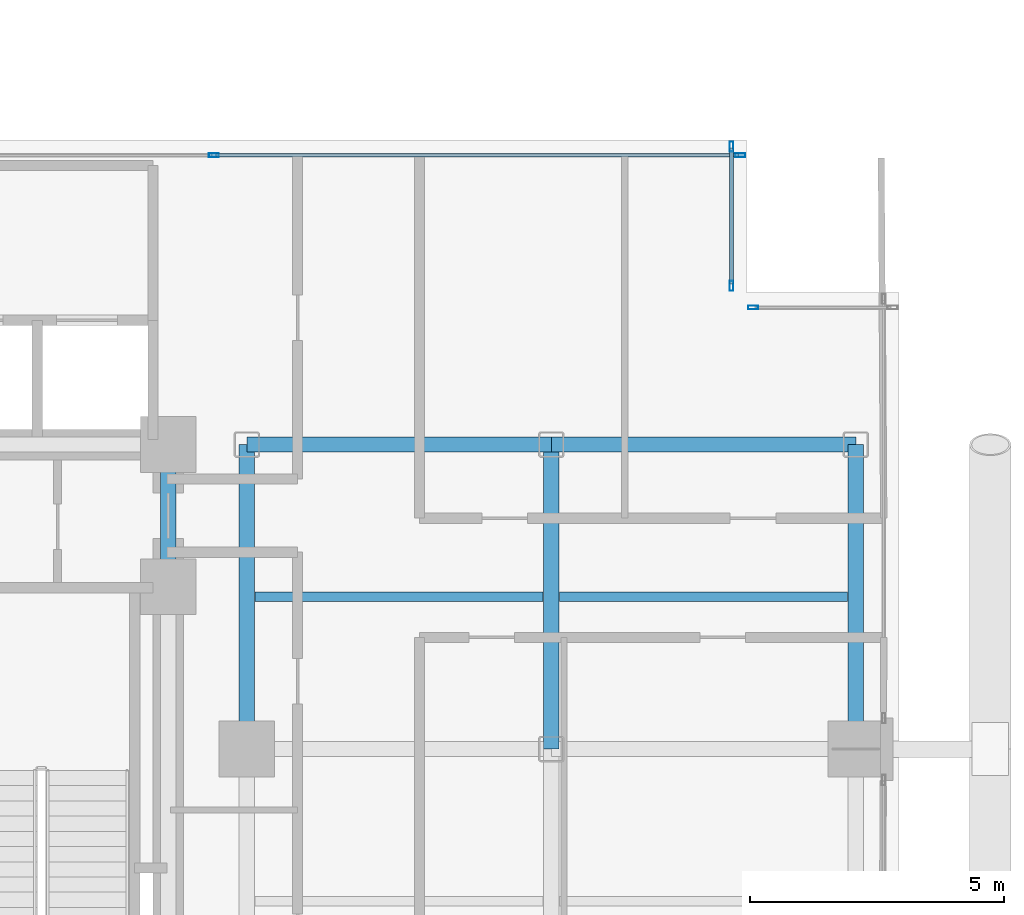
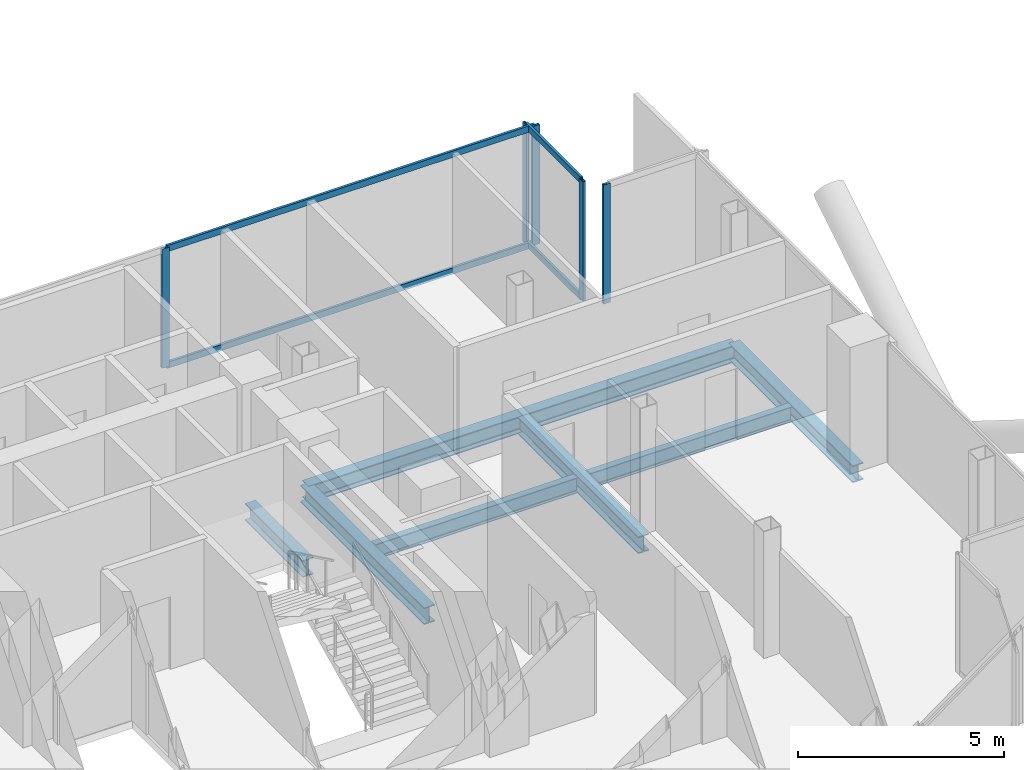
# One storey, part 13 of 28: 9 members, 8 beams, 3 elements without a shape of their own.
"""IFC4 building model written with IfcOpenShell, lengths in metres."""

from ifc_helpers import new_model, si_unit, direction, frame, origin, origin_2d, place, context, subcontext, project, spatial, hollow_rectangle, i_section, extrude, material, layer, layer_set, material_profile, profile_set, type_object, element, aggregate, save


model = new_model("IFC4")

# Units and contexts
model_context = context("Model", 3, precision=1e-05, world=origin(), true_north=direction((0.0, 1.0)))
body_context = subcontext(model_context, "Body", "Model", "MODEL_VIEW")
ifc_project = project(units=[si_unit("LENGTHUNIT", "METRE"), si_unit("AREAUNIT", "SQUARE_METRE"), si_unit("VOLUMEUNIT", "CUBIC_METRE"), si_unit("PLANEANGLEUNIT", "RADIAN"), si_unit("MASSUNIT", "GRAM", prefix="KILO"), si_unit("THERMODYNAMICTEMPERATUREUNIT", "KELVIN"), si_unit("POWERUNIT", "WATT")], contexts=[model_context])

# Site, building, storey
site_placement = place(None, origin())
site = spatial("IfcSite", under=ifc_project, at=site_placement, CompositionType="ELEMENT")
building_placement = place(site_placement, origin())
building = spatial("IfcBuilding", under=site, at=building_placement, Name="Svarakhadi Broadcast Tower", CompositionType="ELEMENT")
storey_placement = place(building_placement, frame((0.0, 0.0, 153.14990234375)))
storey = spatial("IfcBuildingStorey", under=building, at=storey_placement, Name="L37", CompositionType="ELEMENT", Elevation=153.14990234375)

# Beams
ifc_material_1 = material(Name="Steel S355J2 (IS 2062 E350C)", Category="steel")
ifc_material_profile_1 = material_profile(ifc_material_1, i_section(OverallWidth=0.18994140625, OverallDepth=0.449951171875, WebThickness=0.009521484375, FlangeThickness=0.0146484375, FilletRadius=0.02099609375, at=origin_2d()), Name="NPB 450x190x78")
ifc_profile_set_1 = profile_set([ifc_material_profile_1], Name="Steel S355J2 (IS 2062 E350C)")
beam_type_1 = type_object("IfcBeamType", Name="Beam_NPB450", PredefinedType="BEAM", material=ifc_profile_set_1)
for number, where, z_axis, x_axis, name in (
    (1, (35.31005859375, 15.0, -0.449951171875), (1.0, 0.0, 0.0), (0.0, 1.0, 0.0), "L37 Secondary Composite Beam SB021"),
    (2, (41.31005859375, 15.0, -0.449951171875), (1.0, 0.0, 0.0), (0.0, 1.0, 0.0), "L37 Secondary Composite Beam SB023"),
):
    element("IfcBeam", number, at=place(storey_placement, frame(where, z_axis=z_axis, x_axis=x_axis)), inside=storey, type_object=beam_type_1, Name=name, PredefinedType="BEAM", context=body_context, shape_type="SweptSolid", body=[
        extrude(i_section(OverallWidth=0.18994140625, OverallDepth=0.449951171875, WebThickness=0.009521484375, FlangeThickness=0.0146484375, FilletRadius=0.02099609375, at=origin_2d()), origin(), (0.0, 0.0, 1.0), 5.679931640625),
    ])

# Curtain wall, members
ifc_material_2 = material(Name="Anodised Bronze Aluminium AA 6063-T6", Category="aluminium")
ifc_layer = layer(ifc_material_2, 0.199951171875)
ifc_layer_set = layer_set([ifc_layer], Name="Anodised Bronze Aluminium AA 6063-T6")
curtain_wall_type = type_object("IfcCurtainWallType", Name="CW_Sys_03", PredefinedType="NOTDEFINED", material=ifc_layer_set)
curtain_wall_1_placement = place(storey_placement, origin())
curtain_wall_1 = element("IfcCurtainWall", 3, at=curtain_wall_1_placement, inside=storey, type_object=curtain_wall_type, Name="L37 Unitised Facade Curtain Wall 10", PredefinedType="NOTDEFINED")
ifc_material_profile_2 = material_profile(ifc_material_2, hollow_rectangle(XDim=0.074951171875, YDim=0.199951171875, WallThickness=0.005615234375, at=origin_2d()), Name="ALU MULLION 200x75x6")
ifc_profile_set_2 = profile_set([ifc_material_profile_2], Name="Anodised Bronze Aluminium AA 6063-T6")
member_type_1 = type_object("IfcMemberType", Name="CW_Sys_03_Mul", PredefinedType="MULLION", material=ifc_profile_set_2)
member_1_placement = place(storey_placement, frame((34.5, 23.699951171875, 0.0), z_axis=(0.0, 0.0, 1.0), x_axis=(0.0, 1.0, 0.0)))
member_1 = element("IfcMember", 4, at=member_1_placement, type_object=member_type_1, Name="CW-03 mullion 2", PredefinedType="MULLION", context=body_context, shape_type="SweptSolid", body=[
    extrude(hollow_rectangle(XDim=0.074951171875, YDim=0.199951171875, WallThickness=0.005615234375, at=origin_2d()), origin(), (0.0, 0.0, 1.0), 3.525146484375),
])
member_2_placement = place(storey_placement, frame((44.87255859375, 23.699951171875, 0.0), z_axis=(0.0, 0.0, 1.0), x_axis=(0.0, 1.0, 0.0)))
member_2 = element("IfcMember", 5, at=member_2_placement, type_object=member_type_1, Name="CW-03 mullion 3", PredefinedType="MULLION", context=body_context, shape_type="SweptSolid", body=[
    extrude(hollow_rectangle(XDim=0.074951171875, YDim=0.199951171875, WallThickness=0.005615234375, at=origin_2d()), origin(), (0.0, 0.0, 1.0), 3.525146484375),
])

curtain_wall_2_placement = place(storey_placement, origin())
curtain_wall_2 = element("IfcCurtainWall", 6, at=curtain_wall_2_placement, inside=storey, type_object=curtain_wall_type, Name="L37 Unitised Facade Curtain Wall 11", PredefinedType="NOTDEFINED")
member_3_placement = place(storey_placement, frame((44.699951171875, 23.87255859375, 0.0), z_axis=(0.0, 0.0, 1.0), x_axis=(1.0, 0.0, 0.0)))
member_3 = element("IfcMember", 7, at=member_3_placement, type_object=member_type_1, Name="CW-03 mullion 1", PredefinedType="MULLION", context=body_context, shape_type="SweptSolid", body=[
    extrude(hollow_rectangle(XDim=0.074951171875, YDim=0.199951171875, WallThickness=0.005615234375, at=origin_2d()), origin(), (0.0, 0.0, 1.0), 3.525146484375),
])
member_4_placement = place(storey_placement, frame((44.699951171875, 21.12744140625, 0.0), z_axis=(0.0, 0.0, 1.0), x_axis=(1.0, 0.0, 0.0)))
member_4 = element("IfcMember", 8, at=member_4_placement, type_object=member_type_1, Name="CW-03 mullion 2", PredefinedType="MULLION", context=body_context, shape_type="SweptSolid", body=[
    extrude(hollow_rectangle(XDim=0.074951171875, YDim=0.199951171875, WallThickness=0.005615234375, at=origin_2d()), origin(), (0.0, 0.0, 1.0), 3.525146484375),
])

# Curtain wall, member
curtain_wall_3_placement = place(storey_placement, origin())
curtain_wall_3 = element("IfcCurtainWall", 9, at=curtain_wall_3_placement, inside=storey, type_object=curtain_wall_type, Name="L37 Unitised Facade Curtain Wall 12", PredefinedType="NOTDEFINED")
member_5_placement = place(storey_placement, frame((45.12744140625, 20.699951171875, 0.0), z_axis=(0.0, 0.0, 1.0), x_axis=(0.0, 1.0, 0.0)))
member_5 = element("IfcMember", 10, at=member_5_placement, type_object=member_type_1, Name="CW-03 mullion 1", PredefinedType="MULLION", context=body_context, shape_type="SweptSolid", body=[
    extrude(hollow_rectangle(XDim=0.074951171875, YDim=0.199951171875, WallThickness=0.005615234375, at=origin_2d()), origin(), (0.0, 0.0, 1.0), 3.525146484375),
])
aggregate(curtain_wall_3, [member_5])

# Member
ifc_material_profile_3 = material_profile(ifc_material_2, hollow_rectangle(XDim=0.070068359375, YDim=0.18505859375, WallThickness=0.0048828125, at=origin_2d()), Name="ALU TRANSOM 185x70x5")
ifc_profile_set_3 = profile_set([ifc_material_profile_3], Name="Anodised Bronze Aluminium AA 6063-T6")
member_type_2 = type_object("IfcMemberType", Name="CW_Sys_03_Trn", PredefinedType="USERDEFINED", material=ifc_profile_set_3)
member_6_placement = place(storey_placement, frame((34.53759765625, 23.699951171875, 0.03515625), z_axis=(1.0, 0.0, 0.0), x_axis=(0.0, 1.0, 0.0)))
member_6 = element("IfcMember", 11, at=member_6_placement, type_object=member_type_2, Name="CW-03 transom 2.1", ObjectType="TRANSOM", PredefinedType="USERDEFINED", context=body_context, shape_type="SweptSolid", body=[
    extrude(hollow_rectangle(XDim=0.070068359375, YDim=0.18505859375, WallThickness=0.0048828125, at=origin_2d()), origin(), (0.0, 0.0, 1.0), 10.29736328125),
])

member_7_placement = place(storey_placement, frame((34.53759765625, 23.699951171875, 3.489990234375), z_axis=(1.0, 0.0, 0.0), x_axis=(0.0, 1.0, 0.0)))
member_7 = element("IfcMember", 12, at=member_7_placement, type_object=member_type_2, Name="CW-03 transom 2.2", ObjectType="TRANSOM", PredefinedType="USERDEFINED", context=body_context, shape_type="SweptSolid", body=[
    extrude(hollow_rectangle(XDim=0.070068359375, YDim=0.18505859375, WallThickness=0.0048828125, at=origin_2d()), origin(), (0.0, 0.0, 1.0), 10.29736328125),
])

aggregate(curtain_wall_1, [member_1, member_2, member_6, member_7])

member_8_placement = place(storey_placement, frame((44.699951171875, 23.8349609375, 0.03515625), z_axis=(0.0, -1.0, 0.0), x_axis=(1.0, 0.0, 0.0)))
member_8 = element("IfcMember", 13, at=member_8_placement, type_object=member_type_2, Name="CW-03 transom 1.1", ObjectType="TRANSOM", PredefinedType="USERDEFINED", context=body_context, shape_type="SweptSolid", body=[
    extrude(hollow_rectangle(XDim=0.070068359375, YDim=0.18505859375, WallThickness=0.0048828125, at=origin_2d()), origin(), (0.0, 0.0, 1.0), 2.669921875),
])

member_9_placement = place(storey_placement, frame((44.699951171875, 23.8349609375, 3.489990234375), z_axis=(0.0, -1.0, 0.0), x_axis=(1.0, 0.0, 0.0)))
member_9 = element("IfcMember", 14, at=member_9_placement, type_object=member_type_2, Name="CW-03 transom 1.2", ObjectType="TRANSOM", PredefinedType="USERDEFINED", context=body_context, shape_type="SweptSolid", body=[
    extrude(hollow_rectangle(XDim=0.070068359375, YDim=0.18505859375, WallThickness=0.0048828125, at=origin_2d()), origin(), (0.0, 0.0, 1.0), 2.669921875),
])

aggregate(curtain_wall_2, [member_3, member_4, member_8, member_9])

# Beams
ifc_material_profile_4 = material_profile(ifc_material_1, i_section(OverallWidth=0.300048828125, OverallDepth=0.5, WebThickness=0.014404296875, FlangeThickness=0.028076171875, FilletRadius=0.027099609375, at=origin_2d()), Name="WPB 500x300x187")
ifc_profile_set_4 = profile_set([ifc_material_profile_4], Name="Steel S355J2 (IS 2062 E350C)")
beam_type_2 = type_object("IfcBeamType", Name="Girder_WPB500", PredefinedType="USERDEFINED", material=ifc_profile_set_4)
for number, where, z_axis, x_axis, name in (
    (15, (35.14990234375, 18.0, -0.474853515625), (1.0, 0.0, 0.0), (0.0, 1.0, 0.0), "L37 Primary E-W Girder G028"),
    (16, (41.14990234375, 18.0, -0.474853515625), (1.0, 0.0, 0.0), (0.0, 1.0, 0.0), "L37 Primary E-W Girder G029"),
):
    element("IfcBeam", number, at=place(storey_placement, frame(where, z_axis=z_axis, x_axis=x_axis)), inside=storey, type_object=beam_type_2, Name=name, ObjectType="GIRDER", PredefinedType="USERDEFINED", context=body_context, shape_type="SweptSolid", body=[
        extrude(i_section(OverallWidth=0.300048828125, OverallDepth=0.5, WebThickness=0.014404296875, FlangeThickness=0.028076171875, FilletRadius=0.027099609375, at=origin_2d()), origin(), (0.0, 0.0, 1.0), 6.0),
    ])
beam_placement = place(storey_placement, frame((33.60009765625, 15.199951171875, -0.474853515625), z_axis=(0.0, 1.0, 0.0), x_axis=(-1.0, 0.0, 0.0)))
element("IfcBeam", 17, at=beam_placement, inside=storey, type_object=beam_type_2, Name="L37 Primary N-S Girder G066", ObjectType="GIRDER", PredefinedType="USERDEFINED", context=body_context, shape_type="SweptSolid", body=[
    extrude(i_section(OverallWidth=0.300048828125, OverallDepth=0.5, WebThickness=0.014404296875, FlangeThickness=0.028076171875, FilletRadius=0.027099609375, at=origin_2d()), origin(), (0.0, 0.0, 1.0), 2.800048828125),
])
for number, where, z_axis, x_axis, name in (
    (18, (35.14990234375, 12.0, -0.474853515625), (0.0, 1.0, 0.0), (-1.0, 0.0, 0.0), "L37 Primary N-S Girder G069"),
    (19, (41.14990234375, 12.0, -0.474853515625), (0.0, 1.0, 0.0), (-1.0, 0.0, 0.0), "L37 Primary N-S Girder G072"),
    (20, (47.14990234375, 12.0, -0.474853515625), (0.0, 1.0, 0.0), (-1.0, 0.0, 0.0), "L37 Primary N-S Girder G074"),
):
    element("IfcBeam", number, at=place(storey_placement, frame(where, z_axis=z_axis, x_axis=x_axis)), inside=storey, type_object=beam_type_2, Name=name, ObjectType="GIRDER", PredefinedType="USERDEFINED", context=body_context, shape_type="SweptSolid", body=[
        extrude(i_section(OverallWidth=0.300048828125, OverallDepth=0.5, WebThickness=0.014404296875, FlangeThickness=0.028076171875, FilletRadius=0.027099609375, at=origin_2d()), origin(), (0.0, 0.0, 1.0), 6.0),
    ])

save(model, "model.ifc")
